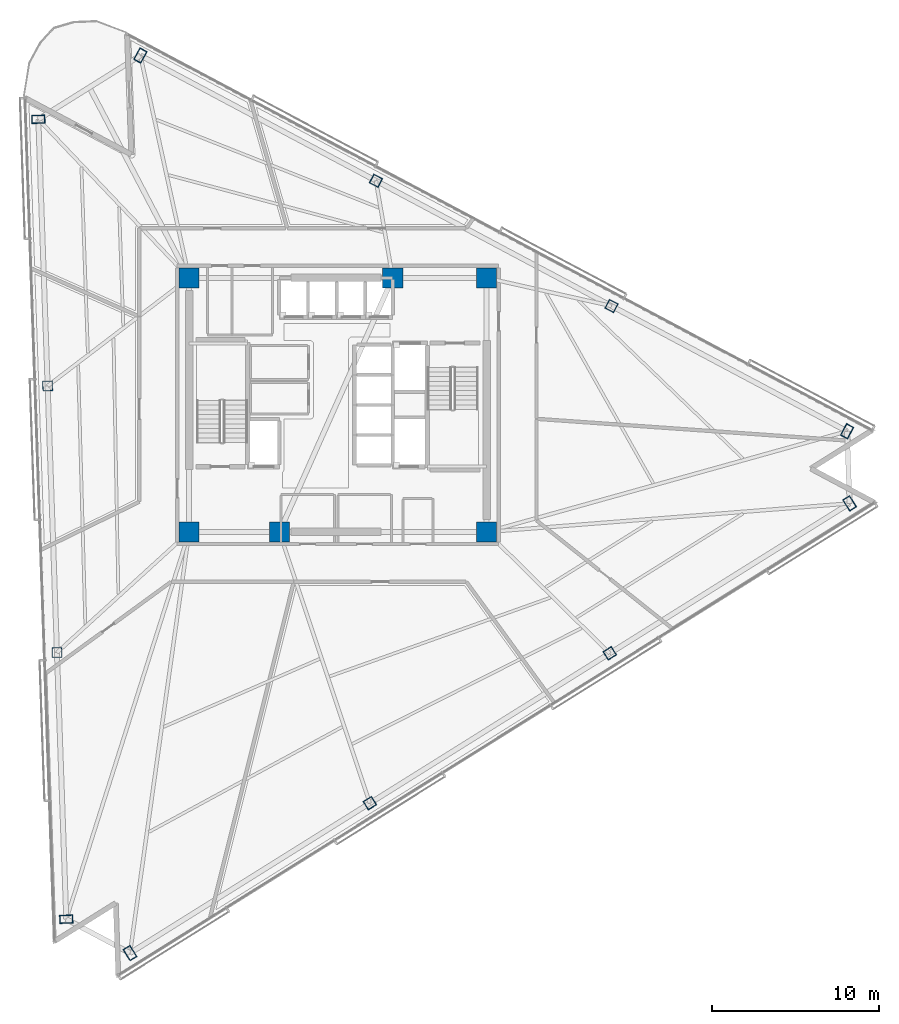
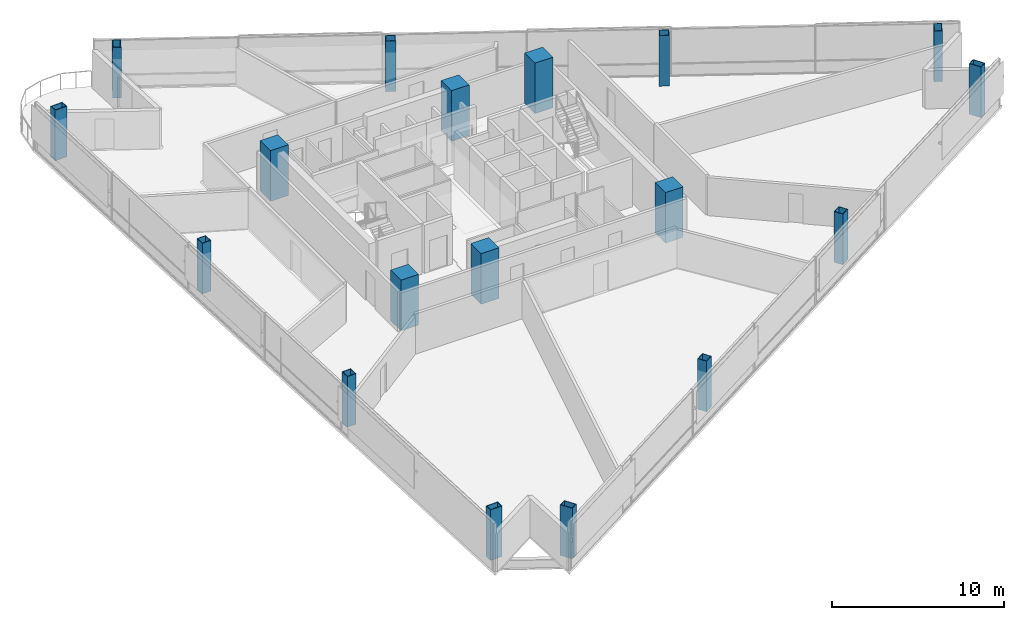
# One storey, part 1 of 21: 18 columns.
"""IFC4 building model written with IfcOpenShell, lengths in metres."""

from ifc_helpers import new_model, si_unit, direction, frame, origin, origin_2d, place, context, subcontext, project, spatial, rectangle, hollow_rectangle, extrude, material, material_profile, profile_set, type_object, element, save


model = new_model("IFC4")

# Units and contexts
model_context = context("Model", 3, precision=1e-05, world=origin(), true_north=direction((0.0, 1.0)))
body_context = subcontext(model_context, "Body", "Model", "MODEL_VIEW")
ifc_project = project(units=[si_unit("LENGTHUNIT", "METRE"), si_unit("AREAUNIT", "SQUARE_METRE"), si_unit("VOLUMEUNIT", "CUBIC_METRE"), si_unit("PLANEANGLEUNIT", "RADIAN"), si_unit("MASSUNIT", "GRAM", prefix="KILO")], contexts=[model_context])

# Site, building, storey
site_placement = place(None, origin())
site = spatial("IfcSite", under=ifc_project, at=site_placement, CompositionType="ELEMENT")
building_placement = place(site_placement, origin())
building = spatial("IfcBuilding", under=site, at=building_placement, Name="Tharavind Bronze Gate", CompositionType="ELEMENT")
storey_placement = place(building_placement, frame((0.0, 0.0, 156.800048828125)))
storey = spatial("IfcBuildingStorey", under=building, at=storey_placement, Name="L40", CompositionType="ELEMENT", Elevation=156.800048828125)

# Columns
ifc_material_1 = material(Name="Steel S460", Category="steel")
ifc_material_profile_1 = material_profile(ifc_material_1, hollow_rectangle(XDim=0.5, YDim=0.800048828125, WallThickness=0.0400390625, at=origin_2d()), Name="RHS800X500X40")
ifc_profile_set_1 = profile_set([ifc_material_profile_1], Name="Steel S460")
column_type_1 = type_object("IfcColumnType", Name="CORNER NOTCH COLUMN RHS800X500", PredefinedType="COLUMN", material=ifc_profile_set_1)
for number, where, z_axis, x_axis, name in (
    (1, (-17.9248046875, 17.09228515625, 0.0), (0.0, 0.0, 1.0), (-0.034899496703, 0.999390827019, 0.0), "L40 perimeter column S1C1"),
    (2, (-16.253662109375, -30.767578125, 0.0), (0.0, 0.0, 1.0), (-0.034899496703, 0.999390827019, 0.0), "L40 perimeter column S1C4"),
    (3, (-12.439208984375, -32.7958984375, 0.0), (0.0, 0.0, 1.0), (0.848047171272, 0.529920744356, 0.0), "L40 perimeter column S2C1"),
    (4, (30.615478515625, -5.89208984375, 0.0), (0.0, 0.0, 1.0), (0.848047171272, 0.529920744356, 0.0), "L40 perimeter column S2C4"),
    (5, (30.46484375, -1.57470703125, 0.0), (0.0, 0.0, 1.0), (-0.88294841224, 0.469470021751, 0.0), "L40 perimeter column S3C1"),
    (6, (-11.819091796875, 20.90771484375, 0.0), (0.0, 0.0, 1.0), (-0.88294841224, 0.469470021751, 0.0), "L40 perimeter column S3C4"),
):
    element("IfcColumn", number, at=place(storey_placement, frame(where, z_axis=z_axis, x_axis=x_axis)), inside=storey, type_object=column_type_1, Name=name, PredefinedType="COLUMN", context=body_context, shape_type="SweptSolid", body=[
        extrude(hollow_rectangle(XDim=0.5, YDim=0.800048828125, WallThickness=0.0400390625, at=origin_2d()), origin(), (0.0, 0.0, 1.0), 3.599853515625),
    ])
ifc_material_2 = material(Name="Concrete C60/75", Category="concrete")
ifc_material_profile_2 = material_profile(ifc_material_2, rectangle(XDim=1.199951171875, YDim=1.199951171875, at=origin_2d()), Name="RCCOL1200")
ifc_profile_set_2 = profile_set([ifc_material_profile_2], Name="Concrete C60/75")
column_type_2 = type_object("IfcColumnType", Name="MEGA CORE COLUMN 1200", PredefinedType="COLUMN", material=ifc_profile_set_2)
for number, where, z_axis, x_axis, name in (
    (7, (-8.89990234375, -7.60009765625, 0.0), (0.0, 0.0, 1.0), (1.0, 0.0, 0.0), "L40 core mega column MC1"),
    (8, (-3.5, -7.60009765625, 0.0), (0.0, 0.0, 1.0), (1.0, 0.0, 0.0), "L40 core mega column MC2"),
    (9, (8.89990234375, -7.60009765625, 0.0), (0.0, 0.0, 1.0), (1.0, 0.0, 0.0), "L40 core mega column MC3"),
    (10, (8.89990234375, 7.60009765625, 0.0), (0.0, 0.0, 1.0), (1.0, 0.0, 0.0), "L40 core mega column MC4"),
    (11, (3.280029296875, 7.60009765625, 0.0), (0.0, 0.0, 1.0), (1.0, 0.0, 0.0), "L40 core mega column MC5"),
    (12, (-8.89990234375, 7.60009765625, 0.0), (0.0, 0.0, 1.0), (1.0, 0.0, 0.0), "L40 core mega column MC6"),
):
    element("IfcColumn", number, at=place(storey_placement, frame(where, z_axis=z_axis, x_axis=x_axis)), inside=storey, type_object=column_type_2, Name=name, PredefinedType="COLUMN", context=body_context, shape_type="SweptSolid", body=[
        extrude(rectangle(XDim=1.199951171875, YDim=1.199951171875, at=origin_2d()), origin(), (0.0, 0.0, 1.0), 3.599853515625),
    ])
ifc_material_profile_3 = material_profile(ifc_material_1, hollow_rectangle(XDim=0.60009765625, YDim=0.60009765625, WallThickness=0.035888671875, at=origin_2d()), Name="SHS600X36")
ifc_profile_set_3 = profile_set([ifc_material_profile_3], Name="Steel S460")
column_type_3 = type_object("IfcColumnType", Name="PERIMETER BOX COLUMN SHS600", PredefinedType="COLUMN", material=ifc_profile_set_3)
for number, where, z_axis, x_axis, name in (
    (13, (-17.367919921875, 1.138916015625, 0.0), (0.0, 0.0, 1.0), (-0.034899496703, 0.999390827019, 0.0), "L40 perimeter column S1C2"),
    (14, (-16.810791015625, -14.814208984375, 0.0), (0.0, 0.0, 1.0), (-0.034899496703, 0.999390827019, 0.0), "L40 perimeter column S1C3"),
    (15, (1.912353515625, -23.827880859375, 0.0), (0.0, 0.0, 1.0), (0.848047171272, 0.529920744356, 0.0), "L40 perimeter column S2C2"),
    (16, (16.263916015625, -14.860107421875, 0.0), (0.0, 0.0, 1.0), (0.848047171272, 0.529920744356, 0.0), "L40 perimeter column S2C3"),
    (17, (16.3701171875, 5.91943359375, 0.0), (0.0, 0.0, 1.0), (-0.88294841224, 0.469470021751, 0.0), "L40 perimeter column S3C2"),
    (18, (2.275634765625, 13.41357421875, 0.0), (0.0, 0.0, 1.0), (-0.88294841224, 0.469470021751, 0.0), "L40 perimeter column S3C3"),
):
    element("IfcColumn", number, at=place(storey_placement, frame(where, z_axis=z_axis, x_axis=x_axis)), inside=storey, type_object=column_type_3, Name=name, PredefinedType="COLUMN", context=body_context, shape_type="SweptSolid", body=[
        extrude(hollow_rectangle(XDim=0.60009765625, YDim=0.60009765625, WallThickness=0.035888671875, at=origin_2d()), origin(), (0.0, 0.0, 1.0), 3.599853515625),
    ])

save(model, "model.ifc")
